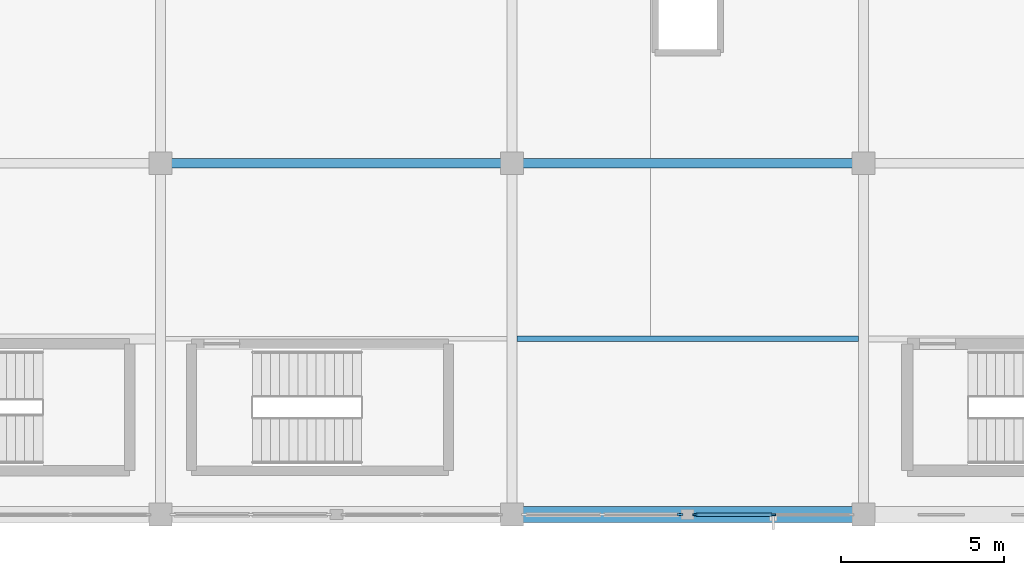
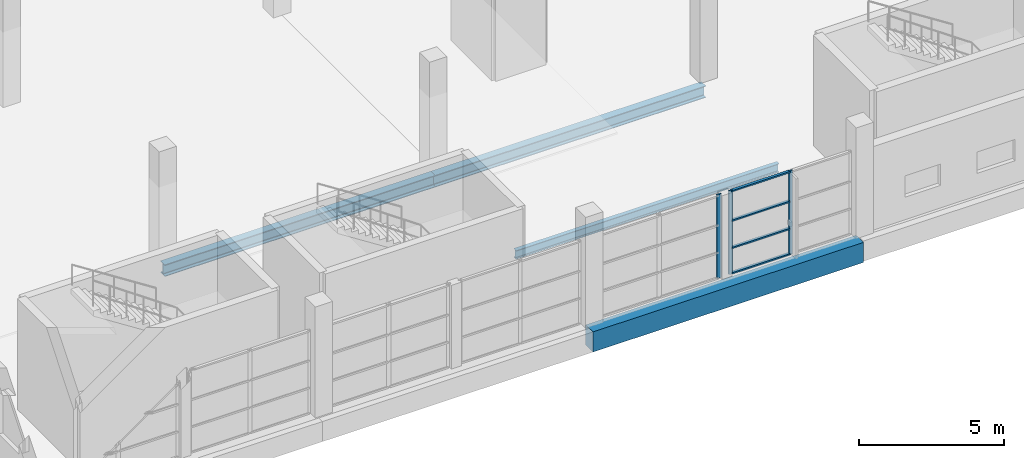
# One storey, part 53 of 142: 7 members, 4 beams, 2 elements without a shape of their own.
"""IFC4 building model written with IfcOpenShell, lengths in metres."""

from ifc_helpers import new_model, si_unit, direction, frame, origin, origin_2d, place, context, subcontext, project, spatial, rectangle, i_section, extrude, material, material_profile, profile_set, type_object, element, aggregate, save


model = new_model("IFC4")

# Units and contexts
model_context = context("Model", 3, precision=1e-05, world=origin(), true_north=direction((0.0, 1.0)))
body_context = subcontext(model_context, "Body", "Model", "MODEL_VIEW")
ifc_project = project(units=[si_unit("LENGTHUNIT", "METRE"), si_unit("AREAUNIT", "SQUARE_METRE"), si_unit("VOLUMEUNIT", "CUBIC_METRE"), si_unit("PLANEANGLEUNIT", "RADIAN"), si_unit("MASSUNIT", "GRAM", prefix="KILO")], contexts=[model_context])

# Site, building, storey
site_placement = place(None, origin())
site = spatial("IfcSite", under=ifc_project, at=site_placement, CompositionType="ELEMENT")
building_placement = place(site_placement, origin())
building = spatial("IfcBuilding", under=site, at=building_placement, Name="Zwinboog Wholesale Market", CompositionType="ELEMENT")
storey_placement = place(building_placement, frame((0.0, 0.0, 5.39990234375)))
storey = spatial("IfcBuildingStorey", under=building, at=storey_placement, Name="L01", CompositionType="ELEMENT", Elevation=5.39990234375)

# Beams
ifc_material_1 = material(Name="Precast concrete C45/55", Category="concrete")
ifc_material_profile_1 = material_profile(ifc_material_1, rectangle(XDim=0.5, YDim=0.85009765625, at=origin_2d()), Name="PC 500x850")
ifc_profile_set_1 = profile_set([ifc_material_profile_1], Name="Precast concrete C45/55")
beam_type_1 = type_object("IfcBeamType", Name="BT-03", PredefinedType="BEAM", material=ifc_profile_set_1)
beam_1_placement = place(storey_placement, frame((151.199951171875, 0.0, -0.7568359375), z_axis=(1.0, 0.0, 0.0), x_axis=(0.0, 1.0, 0.0)))
element("IfcBeam", 1, at=beam_1_placement, inside=storey, type_object=beam_type_1, Name="BG-03 (BMG-L01-1512-0000-0419)", PredefinedType="BEAM", context=body_context, shape_type="SweptSolid", body=[
    extrude(rectangle(XDim=0.5, YDim=0.85009765625, at=origin_2d()), origin(), (0.0, 0.0, 1.0), 10.800048828125),
])
ifc_material_2 = material(Name="Steel S355", Category="steel")
ifc_material_profile_2 = material_profile(ifc_material_2, i_section(OverallWidth=0.300048828125, OverallDepth=0.5, WebThickness=0.014404296875, FlangeThickness=0.028076171875, FilletRadius=0.027099609375, at=origin_2d()), Name="HEB 500")
ifc_profile_set_2 = profile_set([ifc_material_profile_2], Name="Steel S355")
beam_type_2 = type_object("IfcBeamType", Name="BT-14", PredefinedType="BEAM", material=ifc_profile_set_2)
for number, where, z_axis, x_axis, name in (
    (2, (140.39990234375, 10.800048828125, -0.581787109375), (1.0, 0.0, 0.0), (0.0, 1.0, 0.0), "SB-01 (BMG-L01-1404-0108-0430)"),
    (3, (151.199951171875, 10.800048828125, -0.581787109375), (1.0, 0.0, 0.0), (0.0, 1.0, 0.0), "SB-01 (BMG-L01-1512-0108-0431)"),
):
    element("IfcBeam", number, at=place(storey_placement, frame(where, z_axis=z_axis, x_axis=x_axis)), inside=storey, type_object=beam_type_2, Name=name, PredefinedType="BEAM", context=body_context, shape_type="SweptSolid", body=[
        extrude(i_section(OverallWidth=0.300048828125, OverallDepth=0.5, WebThickness=0.014404296875, FlangeThickness=0.028076171875, FilletRadius=0.027099609375, at=origin_2d()), origin(), (0.0, 0.0, 1.0), 10.800048828125),
    ])
ifc_material_profile_3 = material_profile(ifc_material_2, i_section(OverallWidth=0.169921875, OverallDepth=0.360107421875, WebThickness=0.008056640625, FlangeThickness=0.0126953125, FilletRadius=0.01806640625, at=origin_2d()), Name="IPE 360")
ifc_profile_set_3 = profile_set([ifc_material_profile_3], Name="Steel S355")
beam_type_3 = type_object("IfcBeamType", Name="BT-20", PredefinedType="JOIST", material=ifc_profile_set_3)
beam_2_placement = place(storey_placement, frame((151.35009765625, 5.39990234375, -0.511962890625), z_axis=(1.0, 0.0, 0.0), x_axis=(0.0, 1.0, 0.0)))
element("IfcBeam", 4, at=beam_2_placement, inside=storey, type_object=beam_type_3, Name="SJ-03 (BMG-L01-1514-0054-0911)", PredefinedType="JOIST", context=body_context, shape_type="SweptSolid", body=[
    extrude(i_section(OverallWidth=0.169921875, OverallDepth=0.360107421875, WebThickness=0.008056640625, FlangeThickness=0.0126953125, FilletRadius=0.01806640625, at=origin_2d()), origin(), (0.0, 0.0, 1.0), 10.5),
])

# Curtain wall, member
ifc_material_3 = material(Name="Aluminium thermally broken curtain wall", Category="aluminium")
curtain_wall_type_1 = type_object("IfcCurtainWallType", Name="CWT-CAFE-22", PredefinedType="USERDEFINED", material=ifc_material_3)
curtain_wall_1_placement = place(storey_placement, origin())
curtain_wall_1 = element("IfcCurtainWall", 5, at=curtain_wall_1_placement, inside=storey, type_object=curtain_wall_type_1, Name="CW-05 (CW-L01-125)", ObjectType="STOREFRONT_GLAZING", PredefinedType="USERDEFINED")
ifc_material_4 = material(Name="Aluminium EN AW-6060", Category="aluminium")
ifc_material_profile_4 = material_profile(ifc_material_4, rectangle(XDim=0.06494140625, YDim=0.179931640625, at=origin_2d()), Name="AL 65x180")
ifc_profile_set_4 = profile_set([ifc_material_profile_4], Name="Aluminium EN AW-6060")
member_type_1 = type_object("IfcMemberType", Name="CWM-65x180", PredefinedType="MULLION", material=ifc_profile_set_4)
member_1_placement = place(storey_placement, frame((156.367431640625, 0.0, 0.0), z_axis=(0.0, 0.0, 1.0), x_axis=(0.0, 1.0, 0.0)))
member_1 = element("IfcMember", 6, at=member_1_placement, type_object=member_type_1, Name="CW-05 mullion 3", PredefinedType="MULLION", context=body_context, shape_type="SweptSolid", body=[
    extrude(rectangle(XDim=0.06494140625, YDim=0.179931640625, at=origin_2d()), origin(), (0.0, 0.0, 1.0), 3.530029296875),
])
aggregate(curtain_wall_1, [member_1])

# Curtain wall, members
curtain_wall_type_2 = type_object("IfcCurtainWallType", Name="CWT-OFF-15", PredefinedType="USERDEFINED", material=ifc_material_3)
curtain_wall_2_placement = place(storey_placement, origin())
curtain_wall_2 = element("IfcCurtainWall", 7, at=curtain_wall_2_placement, inside=storey, type_object=curtain_wall_type_2, Name="CW-06 (CW-L01-126)", ObjectType="UNITIZED_CURTAIN_WALL", PredefinedType="USERDEFINED")
ifc_material_profile_5 = material_profile(ifc_material_4, rectangle(XDim=0.06005859375, YDim=0.14990234375, at=origin_2d()), Name="AL 60x150")
ifc_profile_set_5 = profile_set([ifc_material_profile_5], Name="Aluminium EN AW-6060")
member_type_2 = type_object("IfcMemberType", Name="CWM-60x150", PredefinedType="MULLION", material=ifc_profile_set_5)
member_2_placement = place(storey_placement, frame((156.830078125, 0.0, 0.0), z_axis=(0.0, 0.0, 1.0), x_axis=(0.0, 1.0, 0.0)))
member_2 = element("IfcMember", 8, at=member_2_placement, type_object=member_type_2, Name="CW-06 mullion 1", PredefinedType="MULLION", context=body_context, shape_type="SweptSolid", body=[
    extrude(rectangle(XDim=0.06005859375, YDim=0.14990234375, at=origin_2d()), origin(), (0.0, 0.0, 1.0), 3.530029296875),
])
member_3_placement = place(storey_placement, frame((159.2275390625, 0.0, 0.0), z_axis=(0.0, 0.0, 1.0), x_axis=(0.0, 1.0, 0.0)))
member_3 = element("IfcMember", 9, at=member_3_placement, type_object=member_type_2, Name="CW-06 mullion 2", PredefinedType="MULLION", context=body_context, shape_type="SweptSolid", body=[
    extrude(rectangle(XDim=0.06005859375, YDim=0.14990234375, at=origin_2d()), origin(), (0.0, 0.0, 1.0), 3.530029296875),
])
ifc_material_profile_6 = material_profile(ifc_material_4, rectangle(XDim=0.110107421875, YDim=0.06005859375, at=origin_2d()), Name="AL 60x110")
ifc_profile_set_6 = profile_set([ifc_material_profile_6], Name="Aluminium EN AW-6060")
member_type_3 = type_object("IfcMemberType", Name="CWT-60x110", PredefinedType="USERDEFINED", material=ifc_profile_set_6)
member_4_placement = place(storey_placement, frame((156.860107421875, 0.0, 0.030029296875), z_axis=(1.0, 0.0, 0.0), x_axis=(0.0, 1.0, 0.0)))
member_4 = element("IfcMember", 10, at=member_4_placement, type_object=member_type_3, Name="CW-06 transom 1.1", ObjectType="TRANSOM", PredefinedType="USERDEFINED", context=body_context, shape_type="SweptSolid", body=[
    extrude(rectangle(XDim=0.110107421875, YDim=0.06005859375, at=origin_2d()), origin(), (0.0, 0.0, 1.0), 2.33740234375),
])
member_5_placement = place(storey_placement, frame((156.860107421875, 0.0, 1.10009765625), z_axis=(1.0, 0.0, 0.0), x_axis=(0.0, 1.0, 0.0)))
member_5 = element("IfcMember", 11, at=member_5_placement, type_object=member_type_3, Name="CW-06 transom 1.2", ObjectType="TRANSOM", PredefinedType="USERDEFINED", context=body_context, shape_type="SweptSolid", body=[
    extrude(rectangle(XDim=0.110107421875, YDim=0.06005859375, at=origin_2d()), origin(), (0.0, 0.0, 1.0), 2.33740234375),
])
member_6_placement = place(storey_placement, frame((156.860107421875, 0.0, 2.25), z_axis=(1.0, 0.0, 0.0), x_axis=(0.0, 1.0, 0.0)))
member_6 = element("IfcMember", 12, at=member_6_placement, type_object=member_type_3, Name="CW-06 transom 1.3", ObjectType="TRANSOM", PredefinedType="USERDEFINED", context=body_context, shape_type="SweptSolid", body=[
    extrude(rectangle(XDim=0.110107421875, YDim=0.06005859375, at=origin_2d()), origin(), (0.0, 0.0, 1.0), 2.33740234375),
])
member_7_placement = place(storey_placement, frame((156.860107421875, 0.0, 3.5), z_axis=(1.0, 0.0, 0.0), x_axis=(0.0, 1.0, 0.0)))
member_7 = element("IfcMember", 13, at=member_7_placement, type_object=member_type_3, Name="CW-06 transom 1.4", ObjectType="TRANSOM", PredefinedType="USERDEFINED", context=body_context, shape_type="SweptSolid", body=[
    extrude(rectangle(XDim=0.110107421875, YDim=0.06005859375, at=origin_2d()), origin(), (0.0, 0.0, 1.0), 2.33740234375),
])
aggregate(curtain_wall_2, [member_2, member_3, member_4, member_5, member_6, member_7])

save(model, "model.ifc")
